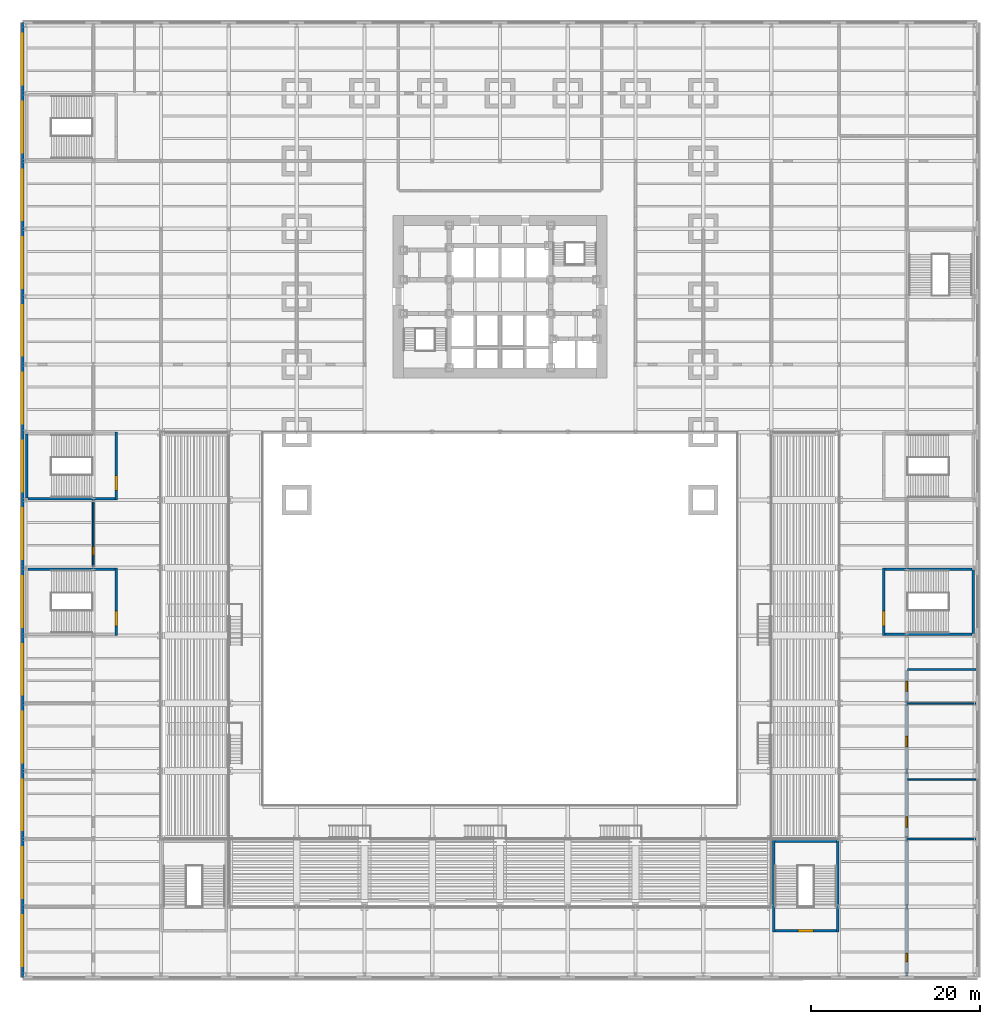
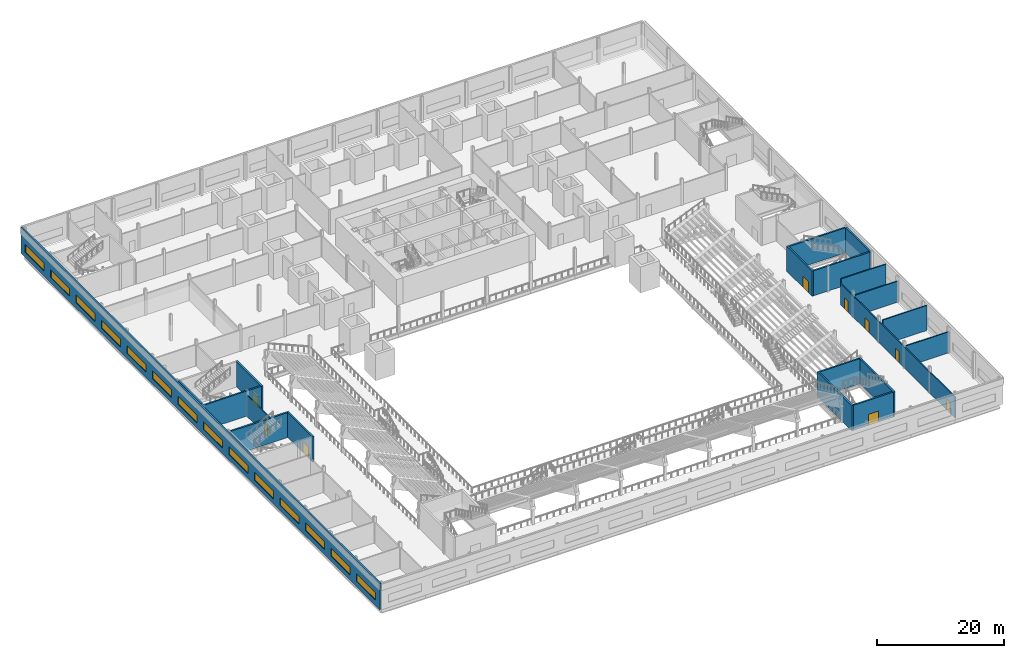
# One storey, part 14 of 27: 20 walls, 14 windows, 9 doors, 23 openings.
"""IFC4 building model written with IfcOpenShell, lengths in metres."""

from ifc_helpers import new_model, si_unit, direction, frame, frame_2d, origin, place, context, subcontext, project, spatial, rectangle, extrude, material, layer, layer_set, type_object, element, fill, save


model = new_model("IFC4")

# Units and contexts
model_context = context("Model", 3, precision=1e-05, world=origin(), true_north=direction((0.0, 1.0)))
body_context = subcontext(model_context, "Body", "Model", "MODEL_VIEW")
ifc_project = project(units=[si_unit("LENGTHUNIT", "METRE"), si_unit("AREAUNIT", "SQUARE_METRE"), si_unit("VOLUMEUNIT", "CUBIC_METRE"), si_unit("PLANEANGLEUNIT", "RADIAN"), si_unit("MASSUNIT", "GRAM", prefix="KILO")], contexts=[model_context])

# Site, building, storey
site_placement = place(None, origin())
site = spatial("IfcSite", under=ifc_project, at=site_placement, CompositionType="ELEMENT")
building_placement = place(site_placement, origin())
building = spatial("IfcBuilding", under=site, at=building_placement, Name="Daluyong Arena Tower", CompositionType="ELEMENT")
storey_placement = place(building_placement, frame((0.0, 0.0, 14.89990234375)))
storey = spatial("IfcBuildingStorey", under=building, at=storey_placement, Name="L03", CompositionType="ELEMENT", Elevation=14.89990234375)

# Walls
ifc_material_1 = material(Name="Concrete block partition", Category="concrete")
ifc_layer_1 = layer(ifc_material_1, 0.199951171875)
ifc_layer_set_1 = layer_set([ifc_layer_1], Name="Concrete block partition")
wall_type_1 = type_object("IfcWallType", Name="Partition 200", PredefinedType="PARTITIONING", material=ifc_layer_set_1)
wall_1_placement = place(storey_placement, frame((104.10009765625, 16.0, 0.0), z_axis=(0.0, 0.0, 1.0), x_axis=(1.0, 0.0, 0.0)))
element("IfcWall", 1, at=wall_1_placement, inside=storey, type_object=wall_type_1, Name="partition at L03", PredefinedType="PARTITIONING", context=body_context, shape_type="SweptSolid", body=[
    extrude(rectangle(XDim=8.0498046875, YDim=0.199951171875, at=frame_2d((4.02490234375, 0.0))), origin(), (0.0, 0.0, 1.0), 4.02783203125),
])
wall_2_placement = place(storey_placement, frame((104.10009765625, 23.0, 0.0), z_axis=(0.0, 0.0, 1.0), x_axis=(1.0, 0.0, 0.0)))
element("IfcWall", 2, at=wall_2_placement, inside=storey, type_object=wall_type_1, Name="partition at L03", PredefinedType="PARTITIONING", context=body_context, shape_type="SweptSolid", body=[
    extrude(rectangle(XDim=8.0498046875, YDim=0.199951171875, at=frame_2d((4.02490234375, 0.0))), origin(), (0.0, 0.0, 1.0), 4.800048828125),
])
wall_3_placement = place(storey_placement, frame((104.10009765625, 32.0, 0.0), z_axis=(0.0, 0.0, 1.0), x_axis=(1.0, 0.0, 0.0)))
element("IfcWall", 3, at=wall_3_placement, inside=storey, type_object=wall_type_1, Name="partition at L03", PredefinedType="PARTITIONING", context=body_context, shape_type="SweptSolid", body=[
    extrude(rectangle(XDim=8.0498046875, YDim=0.199951171875, at=frame_2d((4.02490234375, 0.0))), origin(), (0.0, 0.0, 1.0), 4.02783203125),
])
wall_4_placement = place(storey_placement, frame((104.10009765625, 36.0, 0.0), z_axis=(0.0, 0.0, 1.0), x_axis=(1.0, 0.0, 0.0)))
element("IfcWall", 4, at=wall_4_placement, inside=storey, type_object=wall_type_1, Name="partition at L03", PredefinedType="PARTITIONING", context=body_context, shape_type="SweptSolid", body=[
    extrude(rectangle(XDim=8.0498046875, YDim=0.199951171875, at=frame_2d((4.02490234375, 0.0))), origin(), (0.0, 0.0, 1.0), 4.800048828125),
])

# Wall, opening, door
wall_5_placement = place(storey_placement, frame((8.0, 48.10009765625, 0.0), z_axis=(0.0, 0.0, 1.0), x_axis=(0.0, 1.0, 0.0)))
wall_5 = element("IfcWall", 5, at=wall_5_placement, inside=storey, type_object=wall_type_1, Name="partition at L03", PredefinedType="PARTITIONING", context=body_context, shape_type="SweptSolid", body=[
    extrude(rectangle(XDim=7.7998046875, YDim=0.199951171875, at=frame_2d((3.89990234375, 0.0))), origin(), (0.0, 0.0, 1.0), 4.02783203125),
])
opening_1_placement = place(wall_5_placement, frame((1.39990234375, 0.0, 0.0)))
opening_1 = element("IfcOpeningElement", 6, at=opening_1_placement, cuts=wall_5, Name="Opening 03034", PredefinedType="OPENING", context=body_context, shape_type="SweptSolid", body=[
    extrude(rectangle(XDim=1.0, YDim=2.10009765625, at=frame_2d((0.5, 1.050048828125))), frame((0.0, 0.10986328125, 0.0), z_axis=(0.0, -1.0, 0.0), x_axis=(1.0, 0.0, 0.0)), (0.0, 0.0, 1.0), 0.219970703125),
])
ifc_material_2 = material(Name="Timber door", Category="wood")
door_type_1 = type_object("IfcDoorType", Name="Room door 1000", OperationType="SINGLE_SWING_LEFT", PredefinedType="DOOR", material=ifc_material_2)
door_1_placement = place(opening_1_placement, origin())
door_1 = element("IfcDoor", 7, at=door_1_placement, inside=storey, type_object=door_type_1, Name="food and beverage kiosk door 03034", OperationType="SINGLE_SWING_LEFT", OverallHeight=2.10009765625, OverallWidth=1.0, PredefinedType="DOOR", context=body_context, shape_type="SweptSolid", body=[
    extrude(rectangle(XDim=1.0, YDim=2.10009765625, at=frame_2d((0.5, 1.050048828125))), frame((0.0, 0.099609375, 0.0), z_axis=(0.0, -1.0, 0.0), x_axis=(1.0, 0.0, 0.0)), (0.0, 0.0, 1.0), 0.199462890625),
])
fill(opening_1, door_1)

# Wall, openings, doors
wall_6_placement = place(storey_placement, frame((104.0, -0.14990234375, 0.0), z_axis=(0.0, 0.0, 1.0), x_axis=(0.0, 1.0, 0.0)))
wall_6 = element("IfcWall", 8, at=wall_6_placement, inside=storey, type_object=wall_type_1, Name="partition at L03", PredefinedType="PARTITIONING", context=body_context, shape_type="SweptSolid", body=[
    extrude(rectangle(XDim=36.0498046875, YDim=0.199951171875, at=frame_2d((18.02490234375, 0.0))), origin(), (0.0, 0.0, 1.0), 4.02783203125),
])
opening_2_placement = place(wall_6_placement, frame((17.550048828125, 0.0, 0.0)))
opening_2 = element("IfcOpeningElement", 9, at=opening_2_placement, cuts=wall_6, Name="Opening 03026", PredefinedType="OPENING", context=body_context, shape_type="SweptSolid", body=[
    extrude(rectangle(XDim=1.199951171875, YDim=2.10009765625, at=frame_2d((0.60009765625, 1.050048828125))), frame((0.0, 0.10986328125, 0.0), z_axis=(0.0, -1.0, 0.0), x_axis=(1.0, 0.0, 0.0)), (0.0, 0.0, 1.0), 0.219970703125),
])
opening_3_placement = place(wall_6_placement, frame((27.050048828125, 0.0, 0.0)))
opening_3 = element("IfcOpeningElement", 10, at=opening_3_placement, cuts=wall_6, Name="Opening 03027", PredefinedType="OPENING", context=body_context, shape_type="SweptSolid", body=[
    extrude(rectangle(XDim=1.199951171875, YDim=2.10009765625, at=frame_2d((0.60009765625, 1.050048828125))), frame((0.0, 0.10986328125, 0.0), z_axis=(0.0, -1.0, 0.0), x_axis=(1.0, 0.0, 0.0)), (0.0, 0.0, 1.0), 0.219970703125),
])
opening_4_placement = place(wall_6_placement, frame((33.550048828125, 0.0, 0.0)))
opening_4 = element("IfcOpeningElement", 11, at=opening_4_placement, cuts=wall_6, Name="Opening 03028", PredefinedType="OPENING", context=body_context, shape_type="SweptSolid", body=[
    extrude(rectangle(XDim=1.199951171875, YDim=2.10009765625, at=frame_2d((0.60009765625, 1.050048828125))), frame((0.0, 0.10986328125, 0.0), z_axis=(0.0, -1.0, 0.0), x_axis=(1.0, 0.0, 0.0)), (0.0, 0.0, 1.0), 0.219970703125),
])
opening_5_placement = place(wall_6_placement, frame((1.64990234375, 0.0, 0.0)))
opening_5 = element("IfcOpeningElement", 12, at=opening_5_placement, cuts=wall_6, Name="Opening 03033", PredefinedType="OPENING", context=body_context, shape_type="SweptSolid", body=[
    extrude(rectangle(XDim=1.0, YDim=2.10009765625, at=frame_2d((0.5, 1.050048828125))), frame((0.0, 0.10986328125, 0.0), z_axis=(0.0, -1.0, 0.0), x_axis=(1.0, 0.0, 0.0)), (0.0, 0.0, 1.0), 0.219970703125),
])
door_2_placement = place(opening_5_placement, origin())
door_2 = element("IfcDoor", 13, at=door_2_placement, inside=storey, type_object=door_type_1, Name="event crew room door 03033", OperationType="SINGLE_SWING_LEFT", OverallHeight=2.10009765625, OverallWidth=1.0, PredefinedType="DOOR", context=body_context, shape_type="SweptSolid", body=[
    extrude(rectangle(XDim=1.0, YDim=2.10009765625, at=frame_2d((0.5, 1.050048828125))), frame((0.0, 0.099609375, 0.0), z_axis=(0.0, -1.0, 0.0), x_axis=(1.0, 0.0, 0.0)), (0.0, 0.0, 1.0), 0.199462890625),
])
fill(opening_5, door_2)
ifc_material_3 = material(Name="Timber door", Category="wood")
door_type_2 = type_object("IfcDoorType", Name="Toilet entry door 1200", OperationType="SINGLE_SWING_RIGHT", PredefinedType="DOOR", material=ifc_material_3)
door_3_placement = place(opening_2_placement, origin())
door_3 = element("IfcDoor", 14, at=door_3_placement, inside=storey, type_object=door_type_2, Name="male toilet door 03026", OperationType="SINGLE_SWING_RIGHT", OverallHeight=2.10009765625, OverallWidth=1.199951171875, PredefinedType="DOOR", context=body_context, shape_type="SweptSolid", body=[
    extrude(rectangle(XDim=1.199951171875, YDim=2.10009765625, at=frame_2d((0.60009765625, 1.050048828125))), frame((0.0, 0.099609375, 0.0), z_axis=(0.0, -1.0, 0.0), x_axis=(1.0, 0.0, 0.0)), (0.0, 0.0, 1.0), 0.199462890625),
])
fill(opening_2, door_3)
door_4_placement = place(opening_3_placement, origin())
door_4 = element("IfcDoor", 15, at=door_4_placement, inside=storey, type_object=door_type_2, Name="female toilet door 03027", OperationType="SINGLE_SWING_RIGHT", OverallHeight=2.10009765625, OverallWidth=1.199951171875, PredefinedType="DOOR", context=body_context, shape_type="SweptSolid", body=[
    extrude(rectangle(XDim=1.199951171875, YDim=2.10009765625, at=frame_2d((0.60009765625, 1.050048828125))), frame((0.0, 0.099609375, 0.0), z_axis=(0.0, -1.0, 0.0), x_axis=(1.0, 0.0, 0.0)), (0.0, 0.0, 1.0), 0.199462890625),
])
fill(opening_3, door_4)
door_5_placement = place(opening_4_placement, origin())
door_5 = element("IfcDoor", 16, at=door_5_placement, inside=storey, type_object=door_type_2, Name="accessible toilet door 03028", OperationType="SINGLE_SWING_RIGHT", OverallHeight=2.10009765625, OverallWidth=1.199951171875, PredefinedType="DOOR", context=body_context, shape_type="SweptSolid", body=[
    extrude(rectangle(XDim=1.199951171875, YDim=2.10009765625, at=frame_2d((0.60009765625, 1.050048828125))), frame((0.0, 0.099609375, 0.0), z_axis=(0.0, -1.0, 0.0), x_axis=(1.0, 0.0, 0.0)), (0.0, 0.0, 1.0), 0.199462890625),
])
fill(opening_4, door_5)

# Wall, openings, windows
ifc_material_4 = material(Name="Precast concrete fc' 45 MPa", Category="concrete")
ifc_layer_2 = layer(ifc_material_4, 0.300048828125)
ifc_layer_set_2 = layer_set([ifc_layer_2], Name="Precast concrete fc' 45 MPa")
wall_type_2 = type_object("IfcWallType", Name="Podium precast band wall 300", PredefinedType="SOLIDWALL", material=ifc_layer_set_2)
wall_7_placement = place(storey_placement, frame((-0.35009765625, 112.35009765625, 0.0), z_axis=(0.0, 0.0, 1.0), x_axis=(0.0, -1.0, 0.0)))
wall_7 = element("IfcWall", 17, at=wall_7_placement, inside=storey, type_object=wall_type_2, Name="podium wall W L03", PredefinedType="SOLIDWALL", context=body_context, shape_type="SweptSolid", body=[
    extrude(rectangle(XDim=112.7001953125, YDim=0.300048828125, at=frame_2d((56.35009765625, 0.0))), origin(), (0.0, 0.0, 1.0), 5.0),
])
opening_6_placement = place(wall_7_placement, frame((1.35009765625, 0.0, 1.0)))
opening_6 = element("IfcOpeningElement", 18, at=opening_6_placement, cuts=wall_7, Name="Opening W1", PredefinedType="OPENING", context=body_context, shape_type="SweptSolid", body=[
    extrude(rectangle(XDim=6.0, YDim=1.5, at=frame_2d((3.0, 0.75))), frame((0.0, 0.159912109375, 0.0), z_axis=(0.0, -1.0, 0.0), x_axis=(1.0, 0.0, 0.0)), (0.0, 0.0, 1.0), 0.320068359375),
])
opening_7_placement = place(wall_7_placement, frame((9.35009765625, 0.0, 1.0)))
opening_7 = element("IfcOpeningElement", 19, at=opening_7_placement, cuts=wall_7, Name="Opening W1", PredefinedType="OPENING", context=body_context, shape_type="SweptSolid", body=[
    extrude(rectangle(XDim=6.0, YDim=1.5, at=frame_2d((3.0, 0.75))), frame((0.0, 0.159912109375, 0.0), z_axis=(0.0, -1.0, 0.0), x_axis=(1.0, 0.0, 0.0)), (0.0, 0.0, 1.0), 0.320068359375),
])
opening_8_placement = place(wall_7_placement, frame((17.35009765625, 0.0, 1.0)))
opening_8 = element("IfcOpeningElement", 20, at=opening_8_placement, cuts=wall_7, Name="Opening W1", PredefinedType="OPENING", context=body_context, shape_type="SweptSolid", body=[
    extrude(rectangle(XDim=6.0, YDim=1.5, at=frame_2d((3.0, 0.75))), frame((0.0, 0.159912109375, 0.0), z_axis=(0.0, -1.0, 0.0), x_axis=(1.0, 0.0, 0.0)), (0.0, 0.0, 1.0), 0.320068359375),
])
opening_9_placement = place(wall_7_placement, frame((25.35009765625, 0.0, 1.0)))
opening_9 = element("IfcOpeningElement", 21, at=opening_9_placement, cuts=wall_7, Name="Opening W1", PredefinedType="OPENING", context=body_context, shape_type="SweptSolid", body=[
    extrude(rectangle(XDim=6.0, YDim=1.5, at=frame_2d((3.0, 0.75))), frame((0.0, 0.159912109375, 0.0), z_axis=(0.0, -1.0, 0.0), x_axis=(1.0, 0.0, 0.0)), (0.0, 0.0, 1.0), 0.320068359375),
])
opening_10_placement = place(wall_7_placement, frame((33.35009765625, 0.0, 1.0)))
opening_10 = element("IfcOpeningElement", 22, at=opening_10_placement, cuts=wall_7, Name="Opening W1", PredefinedType="OPENING", context=body_context, shape_type="SweptSolid", body=[
    extrude(rectangle(XDim=6.0, YDim=1.5, at=frame_2d((3.0, 0.75))), frame((0.0, 0.159912109375, 0.0), z_axis=(0.0, -1.0, 0.0), x_axis=(1.0, 0.0, 0.0)), (0.0, 0.0, 1.0), 0.320068359375),
])
opening_11_placement = place(wall_7_placement, frame((41.35009765625, 0.0, 1.0)))
opening_11 = element("IfcOpeningElement", 23, at=opening_11_placement, cuts=wall_7, Name="Opening W1", PredefinedType="OPENING", context=body_context, shape_type="SweptSolid", body=[
    extrude(rectangle(XDim=6.0, YDim=1.5, at=frame_2d((3.0, 0.75))), frame((0.0, 0.159912109375, 0.0), z_axis=(0.0, -1.0, 0.0), x_axis=(1.0, 0.0, 0.0)), (0.0, 0.0, 1.0), 0.320068359375),
])
opening_12_placement = place(wall_7_placement, frame((49.35009765625, 0.0, 1.0)))
opening_12 = element("IfcOpeningElement", 24, at=opening_12_placement, cuts=wall_7, Name="Opening W1", PredefinedType="OPENING", context=body_context, shape_type="SweptSolid", body=[
    extrude(rectangle(XDim=6.0, YDim=1.5, at=frame_2d((3.0, 0.75))), frame((0.0, 0.159912109375, 0.0), z_axis=(0.0, -1.0, 0.0), x_axis=(1.0, 0.0, 0.0)), (0.0, 0.0, 1.0), 0.320068359375),
])
opening_13_placement = place(wall_7_placement, frame((57.35009765625, 0.0, 1.0)))
opening_13 = element("IfcOpeningElement", 25, at=opening_13_placement, cuts=wall_7, Name="Opening W1", PredefinedType="OPENING", context=body_context, shape_type="SweptSolid", body=[
    extrude(rectangle(XDim=6.0, YDim=1.5, at=frame_2d((3.0, 0.75))), frame((0.0, 0.159912109375, 0.0), z_axis=(0.0, -1.0, 0.0), x_axis=(1.0, 0.0, 0.0)), (0.0, 0.0, 1.0), 0.320068359375),
])
opening_14_placement = place(wall_7_placement, frame((65.35009765625, 0.0, 1.0)))
opening_14 = element("IfcOpeningElement", 26, at=opening_14_placement, cuts=wall_7, Name="Opening W1", PredefinedType="OPENING", context=body_context, shape_type="SweptSolid", body=[
    extrude(rectangle(XDim=6.0, YDim=1.5, at=frame_2d((3.0, 0.75))), frame((0.0, 0.159912109375, 0.0), z_axis=(0.0, -1.0, 0.0), x_axis=(1.0, 0.0, 0.0)), (0.0, 0.0, 1.0), 0.320068359375),
])
opening_15_placement = place(wall_7_placement, frame((73.35009765625, 0.0, 1.0)))
opening_15 = element("IfcOpeningElement", 27, at=opening_15_placement, cuts=wall_7, Name="Opening W1", PredefinedType="OPENING", context=body_context, shape_type="SweptSolid", body=[
    extrude(rectangle(XDim=6.0, YDim=1.5, at=frame_2d((3.0, 0.75))), frame((0.0, 0.159912109375, 0.0), z_axis=(0.0, -1.0, 0.0), x_axis=(1.0, 0.0, 0.0)), (0.0, 0.0, 1.0), 0.320068359375),
])
opening_16_placement = place(wall_7_placement, frame((81.35009765625, 0.0, 1.0)))
opening_16 = element("IfcOpeningElement", 28, at=opening_16_placement, cuts=wall_7, Name="Opening W1", PredefinedType="OPENING", context=body_context, shape_type="SweptSolid", body=[
    extrude(rectangle(XDim=6.0, YDim=1.5, at=frame_2d((3.0, 0.75))), frame((0.0, 0.159912109375, 0.0), z_axis=(0.0, -1.0, 0.0), x_axis=(1.0, 0.0, 0.0)), (0.0, 0.0, 1.0), 0.320068359375),
])
opening_17_placement = place(wall_7_placement, frame((89.35009765625, 0.0, 1.0)))
opening_17 = element("IfcOpeningElement", 29, at=opening_17_placement, cuts=wall_7, Name="Opening W1", PredefinedType="OPENING", context=body_context, shape_type="SweptSolid", body=[
    extrude(rectangle(XDim=6.0, YDim=1.5, at=frame_2d((3.0, 0.75))), frame((0.0, 0.159912109375, 0.0), z_axis=(0.0, -1.0, 0.0), x_axis=(1.0, 0.0, 0.0)), (0.0, 0.0, 1.0), 0.320068359375),
])
opening_18_placement = place(wall_7_placement, frame((97.35009765625, 0.0, 1.0)))
opening_18 = element("IfcOpeningElement", 30, at=opening_18_placement, cuts=wall_7, Name="Opening W1", PredefinedType="OPENING", context=body_context, shape_type="SweptSolid", body=[
    extrude(rectangle(XDim=6.0, YDim=1.5, at=frame_2d((3.0, 0.75))), frame((0.0, 0.159912109375, 0.0), z_axis=(0.0, -1.0, 0.0), x_axis=(1.0, 0.0, 0.0)), (0.0, 0.0, 1.0), 0.320068359375),
])
opening_19_placement = place(wall_7_placement, frame((105.35009765625, 0.0, 1.0)))
opening_19 = element("IfcOpeningElement", 31, at=opening_19_placement, cuts=wall_7, Name="Opening W1", PredefinedType="OPENING", context=body_context, shape_type="SweptSolid", body=[
    extrude(rectangle(XDim=6.0, YDim=1.5, at=frame_2d((3.0, 0.75))), frame((0.0, 0.159912109375, 0.0), z_axis=(0.0, -1.0, 0.0), x_axis=(1.0, 0.0, 0.0)), (0.0, 0.0, 1.0), 0.320068359375),
])
ifc_material_5 = material(Name="Bronze aluminium window, tinted glass", Category="aluminium")
window_type = type_object("IfcWindowType", Name="Ribbon window 6000x1500", PartitioningType="TRIPLE_PANEL_HORIZONTAL", PredefinedType="WINDOW", material=ifc_material_5)
window_1_placement = place(opening_6_placement, origin())
window_1 = element("IfcWindow", 32, at=window_1_placement, inside=storey, type_object=window_type, Name="ribbon window W", OverallHeight=1.5, OverallWidth=6.0, PartitioningType="SINGLE_PANEL", PredefinedType="WINDOW", context=body_context, shape_type="SweptSolid", body=[
    extrude(rectangle(XDim=6.0, YDim=1.5, at=frame_2d((3.0, 0.75))), frame((0.0, 0.030029296875, 0.0), z_axis=(0.0, -1.0, 0.0), x_axis=(1.0, 0.0, 0.0)), (0.0, 0.0, 1.0), 0.06005859375),
])
fill(opening_6, window_1)
window_2_placement = place(opening_7_placement, origin())
window_2 = element("IfcWindow", 33, at=window_2_placement, inside=storey, type_object=window_type, Name="ribbon window W", OverallHeight=1.5, OverallWidth=6.0, PartitioningType="SINGLE_PANEL", PredefinedType="WINDOW", context=body_context, shape_type="SweptSolid", body=[
    extrude(rectangle(XDim=6.0, YDim=1.5, at=frame_2d((3.0, 0.75))), frame((0.0, 0.030029296875, 0.0), z_axis=(0.0, -1.0, 0.0), x_axis=(1.0, 0.0, 0.0)), (0.0, 0.0, 1.0), 0.06005859375),
])
fill(opening_7, window_2)
window_3_placement = place(opening_8_placement, origin())
window_3 = element("IfcWindow", 34, at=window_3_placement, inside=storey, type_object=window_type, Name="ribbon window W", OverallHeight=1.5, OverallWidth=6.0, PartitioningType="SINGLE_PANEL", PredefinedType="WINDOW", context=body_context, shape_type="SweptSolid", body=[
    extrude(rectangle(XDim=6.0, YDim=1.5, at=frame_2d((3.0, 0.75))), frame((0.0, 0.030029296875, 0.0), z_axis=(0.0, -1.0, 0.0), x_axis=(1.0, 0.0, 0.0)), (0.0, 0.0, 1.0), 0.06005859375),
])
fill(opening_8, window_3)
window_4_placement = place(opening_9_placement, origin())
window_4 = element("IfcWindow", 35, at=window_4_placement, inside=storey, type_object=window_type, Name="ribbon window W", OverallHeight=1.5, OverallWidth=6.0, PartitioningType="SINGLE_PANEL", PredefinedType="WINDOW", context=body_context, shape_type="SweptSolid", body=[
    extrude(rectangle(XDim=6.0, YDim=1.5, at=frame_2d((3.0, 0.75))), frame((0.0, 0.030029296875, 0.0), z_axis=(0.0, -1.0, 0.0), x_axis=(1.0, 0.0, 0.0)), (0.0, 0.0, 1.0), 0.06005859375),
])
fill(opening_9, window_4)
window_5_placement = place(opening_10_placement, origin())
window_5 = element("IfcWindow", 36, at=window_5_placement, inside=storey, type_object=window_type, Name="ribbon window W", OverallHeight=1.5, OverallWidth=6.0, PartitioningType="SINGLE_PANEL", PredefinedType="WINDOW", context=body_context, shape_type="SweptSolid", body=[
    extrude(rectangle(XDim=6.0, YDim=1.5, at=frame_2d((3.0, 0.75))), frame((0.0, 0.030029296875, 0.0), z_axis=(0.0, -1.0, 0.0), x_axis=(1.0, 0.0, 0.0)), (0.0, 0.0, 1.0), 0.06005859375),
])
fill(opening_10, window_5)
window_6_placement = place(opening_11_placement, origin())
window_6 = element("IfcWindow", 37, at=window_6_placement, inside=storey, type_object=window_type, Name="ribbon window W", OverallHeight=1.5, OverallWidth=6.0, PartitioningType="SINGLE_PANEL", PredefinedType="WINDOW", context=body_context, shape_type="SweptSolid", body=[
    extrude(rectangle(XDim=6.0, YDim=1.5, at=frame_2d((3.0, 0.75))), frame((0.0, 0.030029296875, 0.0), z_axis=(0.0, -1.0, 0.0), x_axis=(1.0, 0.0, 0.0)), (0.0, 0.0, 1.0), 0.06005859375),
])
fill(opening_11, window_6)
window_7_placement = place(opening_12_placement, origin())
window_7 = element("IfcWindow", 38, at=window_7_placement, inside=storey, type_object=window_type, Name="ribbon window W", OverallHeight=1.5, OverallWidth=6.0, PartitioningType="SINGLE_PANEL", PredefinedType="WINDOW", context=body_context, shape_type="SweptSolid", body=[
    extrude(rectangle(XDim=6.0, YDim=1.5, at=frame_2d((3.0, 0.75))), frame((0.0, 0.030029296875, 0.0), z_axis=(0.0, -1.0, 0.0), x_axis=(1.0, 0.0, 0.0)), (0.0, 0.0, 1.0), 0.06005859375),
])
fill(opening_12, window_7)
window_8_placement = place(opening_13_placement, origin())
window_8 = element("IfcWindow", 39, at=window_8_placement, inside=storey, type_object=window_type, Name="ribbon window W", OverallHeight=1.5, OverallWidth=6.0, PartitioningType="SINGLE_PANEL", PredefinedType="WINDOW", context=body_context, shape_type="SweptSolid", body=[
    extrude(rectangle(XDim=6.0, YDim=1.5, at=frame_2d((3.0, 0.75))), frame((0.0, 0.030029296875, 0.0), z_axis=(0.0, -1.0, 0.0), x_axis=(1.0, 0.0, 0.0)), (0.0, 0.0, 1.0), 0.06005859375),
])
fill(opening_13, window_8)
window_9_placement = place(opening_14_placement, origin())
window_9 = element("IfcWindow", 40, at=window_9_placement, inside=storey, type_object=window_type, Name="ribbon window W", OverallHeight=1.5, OverallWidth=6.0, PartitioningType="SINGLE_PANEL", PredefinedType="WINDOW", context=body_context, shape_type="SweptSolid", body=[
    extrude(rectangle(XDim=6.0, YDim=1.5, at=frame_2d((3.0, 0.75))), frame((0.0, 0.030029296875, 0.0), z_axis=(0.0, -1.0, 0.0), x_axis=(1.0, 0.0, 0.0)), (0.0, 0.0, 1.0), 0.06005859375),
])
fill(opening_14, window_9)
window_10_placement = place(opening_15_placement, origin())
window_10 = element("IfcWindow", 41, at=window_10_placement, inside=storey, type_object=window_type, Name="ribbon window W", OverallHeight=1.5, OverallWidth=6.0, PartitioningType="SINGLE_PANEL", PredefinedType="WINDOW", context=body_context, shape_type="SweptSolid", body=[
    extrude(rectangle(XDim=6.0, YDim=1.5, at=frame_2d((3.0, 0.75))), frame((0.0, 0.030029296875, 0.0), z_axis=(0.0, -1.0, 0.0), x_axis=(1.0, 0.0, 0.0)), (0.0, 0.0, 1.0), 0.06005859375),
])
fill(opening_15, window_10)
window_11_placement = place(opening_16_placement, origin())
window_11 = element("IfcWindow", 42, at=window_11_placement, inside=storey, type_object=window_type, Name="ribbon window W", OverallHeight=1.5, OverallWidth=6.0, PartitioningType="SINGLE_PANEL", PredefinedType="WINDOW", context=body_context, shape_type="SweptSolid", body=[
    extrude(rectangle(XDim=6.0, YDim=1.5, at=frame_2d((3.0, 0.75))), frame((0.0, 0.030029296875, 0.0), z_axis=(0.0, -1.0, 0.0), x_axis=(1.0, 0.0, 0.0)), (0.0, 0.0, 1.0), 0.06005859375),
])
fill(opening_16, window_11)
window_12_placement = place(opening_17_placement, origin())
window_12 = element("IfcWindow", 43, at=window_12_placement, inside=storey, type_object=window_type, Name="ribbon window W", OverallHeight=1.5, OverallWidth=6.0, PartitioningType="SINGLE_PANEL", PredefinedType="WINDOW", context=body_context, shape_type="SweptSolid", body=[
    extrude(rectangle(XDim=6.0, YDim=1.5, at=frame_2d((3.0, 0.75))), frame((0.0, 0.030029296875, 0.0), z_axis=(0.0, -1.0, 0.0), x_axis=(1.0, 0.0, 0.0)), (0.0, 0.0, 1.0), 0.06005859375),
])
fill(opening_17, window_12)
window_13_placement = place(opening_18_placement, origin())
window_13 = element("IfcWindow", 44, at=window_13_placement, inside=storey, type_object=window_type, Name="ribbon window W", OverallHeight=1.5, OverallWidth=6.0, PartitioningType="SINGLE_PANEL", PredefinedType="WINDOW", context=body_context, shape_type="SweptSolid", body=[
    extrude(rectangle(XDim=6.0, YDim=1.5, at=frame_2d((3.0, 0.75))), frame((0.0, 0.030029296875, 0.0), z_axis=(0.0, -1.0, 0.0), x_axis=(1.0, 0.0, 0.0)), (0.0, 0.0, 1.0), 0.06005859375),
])
fill(opening_18, window_13)
window_14_placement = place(opening_19_placement, origin())
window_14 = element("IfcWindow", 45, at=window_14_placement, inside=storey, type_object=window_type, Name="ribbon window W", OverallHeight=1.5, OverallWidth=6.0, PartitioningType="SINGLE_PANEL", PredefinedType="WINDOW", context=body_context, shape_type="SweptSolid", body=[
    extrude(rectangle(XDim=6.0, YDim=1.5, at=frame_2d((3.0, 0.75))), frame((0.0, 0.030029296875, 0.0), z_axis=(0.0, -1.0, 0.0), x_axis=(1.0, 0.0, 0.0)), (0.0, 0.0, 1.0), 0.06005859375),
])
fill(opening_19, window_14)

# Walls
ifc_material_6 = material(Name="Concrete fc' 35 MPa", Category="concrete")
ifc_layer_3 = layer(ifc_material_6, 0.300048828125)
ifc_layer_set_3 = layer_set([ifc_layer_3], Name="Concrete fc' 35 MPa")
wall_type_3 = type_object("IfcWallType", Name="Stair enclosure wall 300", PredefinedType="SOLIDWALL", material=ifc_layer_set_3)
wall_8_placement = place(storey_placement, frame((88.300048828125, 5.0, 0.0), z_axis=(0.0, 0.0, 1.0), x_axis=(0.0, 1.0, 0.0)))
element("IfcWall", 46, at=wall_8_placement, inside=storey, type_object=wall_type_3, Name="exit stair PS2 enclosure", PredefinedType="SOLIDWALL", context=body_context, shape_type="SweptSolid", body=[
    extrude(rectangle(XDim=10.85009765625, YDim=0.300048828125, at=frame_2d((5.425048828125, 0.0))), origin(), (0.0, 0.0, 1.0), 4.800048828125),
])
wall_9_placement = place(storey_placement, frame((95.85009765625, 5.0, 0.0), z_axis=(0.0, 0.0, 1.0), x_axis=(0.0, 1.0, 0.0)))
element("IfcWall", 47, at=wall_9_placement, inside=storey, type_object=wall_type_3, Name="exit stair PS2 enclosure", PredefinedType="SOLIDWALL", context=body_context, shape_type="SweptSolid", body=[
    extrude(rectangle(XDim=10.791748046875, YDim=0.300048828125, at=frame_2d((5.39599609375, 0.0))), origin(), (0.0, 0.0, 1.0), 4.800048828125),
])

# Wall, opening, door
wall_10_placement = place(storey_placement, frame((88.449951171875, 5.14990234375, 0.0), z_axis=(0.0, 0.0, 1.0), x_axis=(1.0, 0.0, 0.0)))
wall_10 = element("IfcWall", 48, at=wall_10_placement, inside=storey, type_object=wall_type_3, Name="exit stair PS2 enclosure", PredefinedType="SOLIDWALL", context=body_context, shape_type="SweptSolid", body=[
    extrude(rectangle(XDim=7.25, YDim=0.300048828125, at=frame_2d((3.625, 0.0))), origin(), (0.0, 0.0, 1.0), 4.800048828125),
])
opening_20_placement = place(wall_10_placement, frame((2.72509765625, 0.0, 0.0)))
opening_20 = element("IfcOpeningElement", 49, at=opening_20_placement, cuts=wall_10, Name="Opening 03016", PredefinedType="OPENING", context=body_context, shape_type="SweptSolid", body=[
    extrude(rectangle(XDim=1.800048828125, YDim=2.10009765625, at=frame_2d((0.89990234375, 1.050048828125))), frame((0.0, 0.159912109375, 0.0), z_axis=(0.0, -1.0, 0.0), x_axis=(1.0, 0.0, 0.0)), (0.0, 0.0, 1.0), 0.320068359375),
])
ifc_material_7 = material(Name="Steel door, fire rated", Category="steel")
door_type_3 = type_object("IfcDoorType", Name="Exit stair double door 1800", OperationType="DOUBLE_DOOR_SINGLE_SWING", PredefinedType="DOOR", material=ifc_material_7)
door_6_placement = place(opening_20_placement, origin())
door_6 = element("IfcDoor", 50, at=door_6_placement, inside=storey, type_object=door_type_3, Name="exit stair PS2 door 03016", OperationType="DOUBLE_DOOR_SINGLE_SWING", OverallHeight=2.10009765625, OverallWidth=1.800048828125, PredefinedType="DOOR", context=body_context, shape_type="SweptSolid", body=[
    extrude(rectangle(XDim=1.800048828125, YDim=2.10009765625, at=frame_2d((0.89990234375, 1.050048828125))), frame((0.0, 0.14990234375, 0.0), z_axis=(0.0, -1.0, 0.0), x_axis=(1.0, 0.0, 0.0)), (0.0, 0.0, 1.0), 0.299560546875),
])
fill(opening_20, door_6)

# Wall
wall_11_placement = place(storey_placement, frame((88.449951171875, 15.699951171875, 0.0), z_axis=(0.0, 0.0, 1.0), x_axis=(1.0, 0.0, 0.0)))
element("IfcWall", 51, at=wall_11_placement, inside=storey, type_object=wall_type_3, Name="exit stair PS2 enclosure", PredefinedType="SOLIDWALL", context=body_context, shape_type="SweptSolid", body=[
    extrude(rectangle(XDim=7.25, YDim=0.300048828125, at=frame_2d((3.625, 0.0))), origin(), (0.0, 0.0, 1.0), 4.800048828125),
])

# Wall, opening, door
wall_12_placement = place(storey_placement, frame((10.699951171875, 40.0, 0.0), z_axis=(0.0, 0.0, 1.0), x_axis=(0.0, 1.0, 0.0)))
wall_12 = element("IfcWall", 52, at=wall_12_placement, inside=storey, type_object=wall_type_3, Name="exit stair PS3 enclosure", PredefinedType="SOLIDWALL", context=body_context, shape_type="SweptSolid", body=[
    extrude(rectangle(XDim=8.0, YDim=0.300048828125, at=frame_2d((4.0, 0.0))), origin(), (0.0, 0.0, 1.0), 4.800048828125),
])
opening_21_placement = place(wall_12_placement, frame((1.10009765625, 0.0, 0.0)))
opening_21 = element("IfcOpeningElement", 53, at=opening_21_placement, cuts=wall_12, Name="Opening 03017", PredefinedType="OPENING", context=body_context, shape_type="SweptSolid", body=[
    extrude(rectangle(XDim=1.800048828125, YDim=2.10009765625, at=frame_2d((0.89990234375, 1.050048828125))), frame((0.0, 0.159912109375, 0.0), z_axis=(0.0, -1.0, 0.0), x_axis=(1.0, 0.0, 0.0)), (0.0, 0.0, 1.0), 0.320068359375),
])
door_7_placement = place(opening_21_placement, origin())
door_7 = element("IfcDoor", 54, at=door_7_placement, inside=storey, type_object=door_type_3, Name="exit stair PS3 door 03017", OperationType="DOUBLE_DOOR_SINGLE_SWING", OverallHeight=2.10009765625, OverallWidth=1.800048828125, PredefinedType="DOOR", context=body_context, shape_type="SweptSolid", body=[
    extrude(rectangle(XDim=1.800048828125, YDim=2.10009765625, at=frame_2d((0.89990234375, 1.050048828125))), frame((0.0, 0.14990234375, 0.0), z_axis=(0.0, -1.0, 0.0), x_axis=(1.0, 0.0, 0.0)), (0.0, 0.0, 1.0), 0.299560546875),
])
fill(opening_21, door_7)

# Wall
wall_13_placement = place(storey_placement, frame((0.300048828125, 47.85009765625, 0.0), z_axis=(0.0, 0.0, 1.0), x_axis=(1.0, 0.0, 0.0)))
element("IfcWall", 55, at=wall_13_placement, inside=storey, type_object=wall_type_3, Name="exit stair PS3 enclosure", PredefinedType="SOLIDWALL", context=body_context, shape_type="SweptSolid", body=[
    extrude(rectangle(XDim=10.25, YDim=0.300048828125, at=frame_2d((5.125, 0.0))), origin(), (0.0, 0.0, 1.0), 4.800048828125),
])

# Wall, opening, door
wall_14_placement = place(storey_placement, frame((101.300048828125, 40.0, 0.0), z_axis=(0.0, 0.0, 1.0), x_axis=(0.0, 1.0, 0.0)))
wall_14 = element("IfcWall", 56, at=wall_14_placement, inside=storey, type_object=wall_type_3, Name="exit stair PS4 enclosure", PredefinedType="SOLIDWALL", context=body_context, shape_type="SweptSolid", body=[
    extrude(rectangle(XDim=8.0, YDim=0.300048828125, at=frame_2d((4.0, 0.0))), origin(), (0.0, 0.0, 1.0), 4.800048828125),
])
opening_22_placement = place(wall_14_placement, frame((1.10009765625, 0.0, 0.0)))
opening_22 = element("IfcOpeningElement", 57, at=opening_22_placement, cuts=wall_14, Name="Opening 03018", PredefinedType="OPENING", context=body_context, shape_type="SweptSolid", body=[
    extrude(rectangle(XDim=1.800048828125, YDim=2.10009765625, at=frame_2d((0.89990234375, 1.050048828125))), frame((0.0, 0.159912109375, 0.0), z_axis=(0.0, -1.0, 0.0), x_axis=(1.0, 0.0, 0.0)), (0.0, 0.0, 1.0), 0.320068359375),
])
door_8_placement = place(opening_22_placement, origin())
door_8 = element("IfcDoor", 58, at=door_8_placement, inside=storey, type_object=door_type_3, Name="exit stair PS4 door 03018", OperationType="DOUBLE_DOOR_SINGLE_SWING", OverallHeight=2.10009765625, OverallWidth=1.800048828125, PredefinedType="DOOR", context=body_context, shape_type="SweptSolid", body=[
    extrude(rectangle(XDim=1.800048828125, YDim=2.10009765625, at=frame_2d((0.89990234375, 1.050048828125))), frame((0.0, 0.14990234375, 0.0), z_axis=(0.0, -1.0, 0.0), x_axis=(1.0, 0.0, 0.0)), (0.0, 0.0, 1.0), 0.299560546875),
])
fill(opening_22, door_8)

# Walls
wall_15_placement = place(storey_placement, frame((111.85009765625, 40.208251953125, 0.0), z_axis=(0.0, 0.0, 1.0), x_axis=(0.0, 1.0, 0.0)))
element("IfcWall", 59, at=wall_15_placement, inside=storey, type_object=wall_type_3, Name="exit stair PS4 enclosure", PredefinedType="SOLIDWALL", context=body_context, shape_type="SweptSolid", body=[
    extrude(rectangle(XDim=7.58349609375, YDim=0.300048828125, at=frame_2d((3.791748046875, 0.0))), origin(), (0.0, 0.0, 1.0), 4.800048828125),
])
for number, where, z_axis, x_axis, name in (
    (60, (101.449951171875, 40.14990234375, 0.0), (0.0, 0.0, 1.0), (1.0, 0.0, 0.0), "exit stair PS4 enclosure"),
    (61, (101.449951171875, 47.85009765625, 0.0), (0.0, 0.0, 1.0), (1.0, 0.0, 0.0), "exit stair PS4 enclosure"),
):
    element("IfcWall", number, at=place(storey_placement, frame(where, z_axis=z_axis, x_axis=x_axis)), inside=storey, type_object=wall_type_3, Name=name, PredefinedType="SOLIDWALL", context=body_context, shape_type="SweptSolid", body=[
        extrude(rectangle(XDim=10.25, YDim=0.300048828125, at=frame_2d((5.125, 0.0))), origin(), (0.0, 0.0, 1.0), 4.800048828125),
    ])
wall_16_placement = place(storey_placement, frame((0.14990234375, 56.208251953125, 0.0), z_axis=(0.0, 0.0, 1.0), x_axis=(0.0, 1.0, 0.0)))
element("IfcWall", 62, at=wall_16_placement, inside=storey, type_object=wall_type_3, Name="exit stair PS7 enclosure", PredefinedType="SOLIDWALL", context=body_context, shape_type="SweptSolid", body=[
    extrude(rectangle(XDim=7.58349609375, YDim=0.300048828125, at=frame_2d((3.791748046875, 0.0))), origin(), (0.0, 0.0, 1.0), 4.800048828125),
])

# Wall, opening, door
wall_17_placement = place(storey_placement, frame((10.699951171875, 56.0, 0.0), z_axis=(0.0, 0.0, 1.0), x_axis=(0.0, 1.0, 0.0)))
wall_17 = element("IfcWall", 63, at=wall_17_placement, inside=storey, type_object=wall_type_3, Name="exit stair PS7 enclosure", PredefinedType="SOLIDWALL", context=body_context, shape_type="SweptSolid", body=[
    extrude(rectangle(XDim=8.0, YDim=0.300048828125, at=frame_2d((4.0, 0.0))), origin(), (0.0, 0.0, 1.0), 4.800048828125),
])
opening_23_placement = place(wall_17_placement, frame((1.10009765625, 0.0, 0.0)))
opening_23 = element("IfcOpeningElement", 64, at=opening_23_placement, cuts=wall_17, Name="Opening 03021", PredefinedType="OPENING", context=body_context, shape_type="SweptSolid", body=[
    extrude(rectangle(XDim=1.800048828125, YDim=2.10009765625, at=frame_2d((0.89990234375, 1.050048828125))), frame((0.0, 0.159912109375, 0.0), z_axis=(0.0, -1.0, 0.0), x_axis=(1.0, 0.0, 0.0)), (0.0, 0.0, 1.0), 0.320068359375),
])
door_9_placement = place(opening_23_placement, origin())
door_9 = element("IfcDoor", 65, at=door_9_placement, inside=storey, type_object=door_type_3, Name="exit stair PS7 door 03021", OperationType="DOUBLE_DOOR_SINGLE_SWING", OverallHeight=2.10009765625, OverallWidth=1.800048828125, PredefinedType="DOOR", context=body_context, shape_type="SweptSolid", body=[
    extrude(rectangle(XDim=1.800048828125, YDim=2.10009765625, at=frame_2d((0.89990234375, 1.050048828125))), frame((0.0, 0.14990234375, 0.0), z_axis=(0.0, -1.0, 0.0), x_axis=(1.0, 0.0, 0.0)), (0.0, 0.0, 1.0), 0.299560546875),
])
fill(opening_23, door_9)

# Wall
wall_18_placement = place(storey_placement, frame((0.300048828125, 56.14990234375, 0.0), z_axis=(0.0, 0.0, 1.0), x_axis=(1.0, 0.0, 0.0)))
element("IfcWall", 66, at=wall_18_placement, inside=storey, type_object=wall_type_3, Name="exit stair PS7 enclosure", PredefinedType="SOLIDWALL", context=body_context, shape_type="SweptSolid", body=[
    extrude(rectangle(XDim=10.25, YDim=0.300048828125, at=frame_2d((5.125, 0.0))), origin(), (0.0, 0.0, 1.0), 4.800048828125),
])

save(model, "model.ifc")
